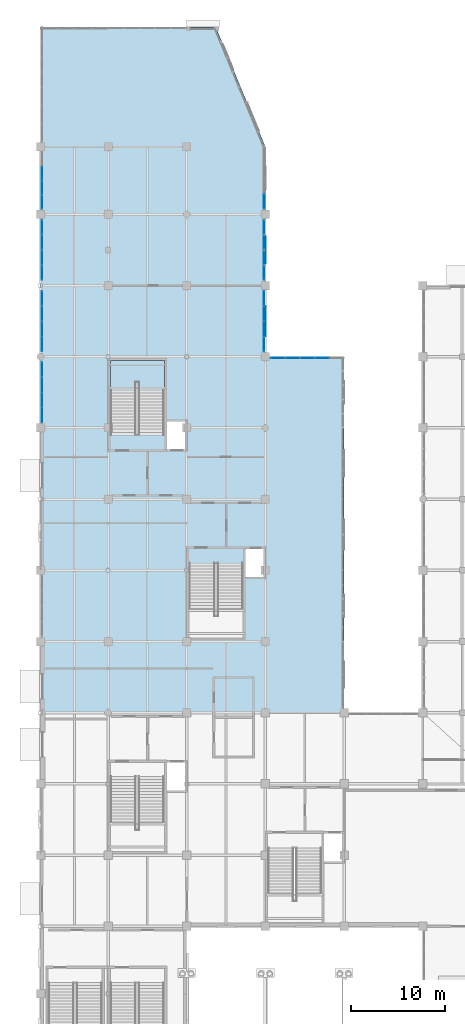
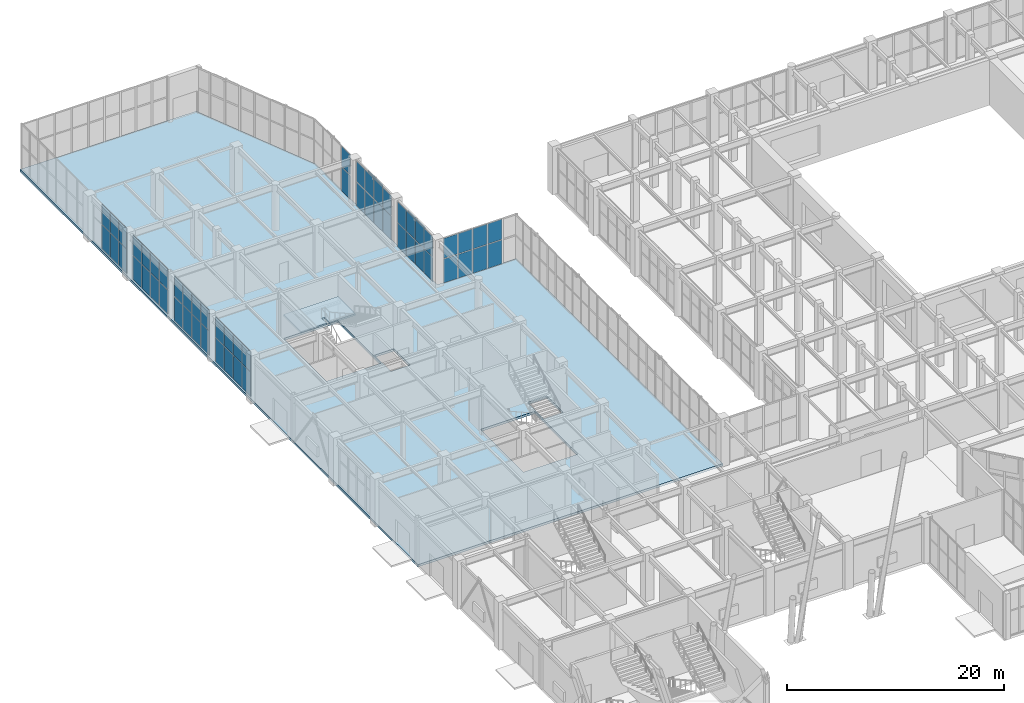
# One storey, part 106 of 139: 58 plates, 2 slabs, 9 elements without a shape of their own.
"""IFC4 building model written with IfcOpenShell, lengths in metres."""

from ifc_helpers import new_model, si_unit, direction, frame, origin, origin_2d, place, context, subcontext, project, spatial, polyline, rectangle, outline, extrude, material, layer, layer_set, type_object, element, aggregate, save


model = new_model("IFC4")

# Units and contexts
model_context = context("Model", 3, precision=1e-05, world=origin(), true_north=direction((0.0, 1.0)))
body_context = subcontext(model_context, "Body", "Model", "MODEL_VIEW")
ifc_project = project(units=[si_unit("LENGTHUNIT", "METRE"), si_unit("AREAUNIT", "SQUARE_METRE"), si_unit("VOLUMEUNIT", "CUBIC_METRE"), si_unit("PLANEANGLEUNIT", "RADIAN"), si_unit("MASSUNIT", "GRAM", prefix="KILO")], contexts=[model_context])

# Site, building, storey
site_placement = place(None, origin())
site = spatial("IfcSite", under=ifc_project, at=site_placement, CompositionType="ELEMENT")
building_placement = place(site_placement, origin())
building = spatial("IfcBuilding", under=site, at=building_placement, Name="Xicomal Pleat Aquarium", CompositionType="ELEMENT")
storey_placement = place(building_placement, origin())
storey = spatial("IfcBuildingStorey", under=building, at=storey_placement, Name="L01", CompositionType="ELEMENT", Elevation=0.0)

# Curtain wall, plates
ifc_material_1 = material(Name="Bronze anodized aluminium 6063-T6", Category="aluminium")
ifc_layer_1 = layer(ifc_material_1, 0.159912109375)
ifc_layer_set_1 = layer_set([ifc_layer_1], Name="Bronze anodized aluminium 6063-T6")
curtain_wall_type_1 = type_object("IfcCurtainWallType", Name="CW-SYS-01", PredefinedType="NOTDEFINED", material=ifc_layer_set_1)
curtain_wall_1_placement = place(storey_placement, origin())
curtain_wall_1 = element("IfcCurtainWall", 1, at=curtain_wall_1_placement, inside=storey, type_object=curtain_wall_type_1, Name="L01 unitised curtain wall CW-L01-012", PredefinedType="NOTDEFINED")
ifc_material_2 = material(Name="Insulated low-E laminated glass", Category="glass")
ifc_layer_2 = layer(ifc_material_2, 0.028076171875)
ifc_layer_set_2 = layer_set([ifc_layer_2], Name="Insulated low-E laminated glass")
plate_type_1 = type_object("IfcPlateType", Name="CWP-GLZ-28", PredefinedType="CURTAIN_PANEL", material=ifc_layer_set_2)
plate_1_placement = place(storey_placement, frame((3.139892578125, 92.506103515625, 0.06494140625), z_axis=(0.0, 0.0, 1.0), x_axis=(0.0, 1.0, 0.0)))
plate_1 = element("IfcPlate", 2, at=plate_1_placement, type_object=plate_type_1, Name="CW-01 panel 1.1", PredefinedType="CURTAIN_PANEL", context=body_context, shape_type="SweptSolid", body=[
    extrude(rectangle(XDim=1.4423828125, YDim=0.028076171875, at=origin_2d()), origin(), (0.0, 0.0, 1.0), 2.6884765625),
])
plate_2_placement = place(storey_placement, frame((3.139892578125, 92.506103515625, 2.818359375), z_axis=(0.0, 0.0, 1.0), x_axis=(0.0, 1.0, 0.0)))
plate_2 = element("IfcPlate", 3, at=plate_2_placement, type_object=plate_type_1, Name="CW-01 panel 1.2", PredefinedType="CURTAIN_PANEL", context=body_context, shape_type="SweptSolid", body=[
    extrude(rectangle(XDim=1.4423828125, YDim=0.028076171875, at=origin_2d()), origin(), (0.0, 0.0, 1.0), 2.276611328125),
])
plate_3_placement = place(storey_placement, frame((3.139892578125, 94.030029296875, 0.06494140625), z_axis=(0.0, 0.0, 1.0), x_axis=(0.0, 1.0, 0.0)))
plate_3 = element("IfcPlate", 4, at=plate_3_placement, type_object=plate_type_1, Name="CW-01 panel 2.1", PredefinedType="CURTAIN_PANEL", context=body_context, shape_type="SweptSolid", body=[
    extrude(rectangle(XDim=1.47509765625, YDim=0.028076171875, at=origin_2d()), origin(), (0.0, 0.0, 1.0), 2.6884765625),
])
plate_4_placement = place(storey_placement, frame((3.139892578125, 94.030029296875, 2.818359375), z_axis=(0.0, 0.0, 1.0), x_axis=(0.0, 1.0, 0.0)))
plate_4 = element("IfcPlate", 5, at=plate_4_placement, type_object=plate_type_1, Name="CW-01 panel 2.2", PredefinedType="CURTAIN_PANEL", context=body_context, shape_type="SweptSolid", body=[
    extrude(rectangle(XDim=1.47509765625, YDim=0.028076171875, at=origin_2d()), origin(), (0.0, 0.0, 1.0), 2.276611328125),
])
plate_5_placement = place(storey_placement, frame((3.139892578125, 95.570068359375, 0.06494140625), z_axis=(0.0, 0.0, 1.0), x_axis=(0.0, 1.0, 0.0)))
plate_5 = element("IfcPlate", 6, at=plate_5_placement, type_object=plate_type_1, Name="CW-01 panel 3.1", PredefinedType="CURTAIN_PANEL", context=body_context, shape_type="SweptSolid", body=[
    extrude(rectangle(XDim=1.47509765625, YDim=0.028076171875, at=origin_2d()), origin(), (0.0, 0.0, 1.0), 2.6884765625),
])
plate_6_placement = place(storey_placement, frame((3.139892578125, 95.570068359375, 2.818359375), z_axis=(0.0, 0.0, 1.0), x_axis=(0.0, 1.0, 0.0)))
plate_6 = element("IfcPlate", 7, at=plate_6_placement, type_object=plate_type_1, Name="CW-01 panel 3.2", PredefinedType="CURTAIN_PANEL", context=body_context, shape_type="SweptSolid", body=[
    extrude(rectangle(XDim=1.47509765625, YDim=0.028076171875, at=origin_2d()), origin(), (0.0, 0.0, 1.0), 2.276611328125),
])
aggregate(curtain_wall_1, [plate_1, plate_2, plate_3, plate_4, plate_5, plate_6])

ifc_material_3 = material(Name="Bronze anodized aluminium 6063-T6", Category="aluminium")
ifc_layer_3 = layer(ifc_material_3, 0.159912109375)
ifc_layer_set_3 = layer_set([ifc_layer_3], Name="Bronze anodized aluminium 6063-T6")
curtain_wall_type_2 = type_object("IfcCurtainWallType", Name="CW-SYS-11", PredefinedType="NOTDEFINED", material=ifc_layer_set_3)
curtain_wall_2_placement = place(storey_placement, origin())
curtain_wall_2 = element("IfcCurtainWall", 8, at=curtain_wall_2_placement, inside=storey, type_object=curtain_wall_type_2, Name="L01 unitised curtain wall CW-L01-020", PredefinedType="NOTDEFINED")
plate_7_placement = place(storey_placement, frame((26.860107421875, 89.8388671875, 0.0849609375), z_axis=(0.0, 0.0, 1.0), x_axis=(0.0, -1.0, 0.0)))
plate_7 = element("IfcPlate", 9, at=plate_7_placement, type_object=plate_type_1, Name="CW-11 panel 1.1", PredefinedType="CURTAIN_PANEL", context=body_context, shape_type="SweptSolid", body=[
    extrude(rectangle(XDim=1.512451171875, YDim=0.028076171875, at=origin_2d()), origin(), (0.0, 0.0, 1.0), 2.658447265625),
])
plate_8_placement = place(storey_placement, frame((26.860107421875, 89.8388671875, 2.828369140625), z_axis=(0.0, 0.0, 1.0), x_axis=(0.0, -1.0, 0.0)))
plate_8 = element("IfcPlate", 10, at=plate_8_placement, type_object=plate_type_1, Name="CW-11 panel 1.2", PredefinedType="CURTAIN_PANEL", context=body_context, shape_type="SweptSolid", body=[
    extrude(rectangle(XDim=1.512451171875, YDim=0.028076171875, at=origin_2d()), origin(), (0.0, 0.0, 1.0), 2.24658203125),
])
plate_9_placement = place(storey_placement, frame((26.860107421875, 88.219970703125, 0.0849609375), z_axis=(0.0, 0.0, 1.0), x_axis=(0.0, -1.0, 0.0)))
plate_9 = element("IfcPlate", 11, at=plate_9_placement, type_object=plate_type_1, Name="CW-11 panel 2.1", PredefinedType="CURTAIN_PANEL", context=body_context, shape_type="SweptSolid", body=[
    extrude(rectangle(XDim=1.554931640625, YDim=0.028076171875, at=origin_2d()), origin(), (0.0, 0.0, 1.0), 2.658447265625),
])
plate_10_placement = place(storey_placement, frame((26.860107421875, 88.219970703125, 2.828369140625), z_axis=(0.0, 0.0, 1.0), x_axis=(0.0, -1.0, 0.0)))
plate_10 = element("IfcPlate", 12, at=plate_10_placement, type_object=plate_type_1, Name="CW-11 panel 2.2", PredefinedType="CURTAIN_PANEL", context=body_context, shape_type="SweptSolid", body=[
    extrude(rectangle(XDim=1.554931640625, YDim=0.028076171875, at=origin_2d()), origin(), (0.0, 0.0, 1.0), 2.24658203125),
])
plate_11_placement = place(storey_placement, frame((26.860107421875, 86.580078125, 0.0849609375), z_axis=(0.0, 0.0, 1.0), x_axis=(0.0, -1.0, 0.0)))
plate_11 = element("IfcPlate", 13, at=plate_11_placement, type_object=plate_type_1, Name="CW-11 panel 3.1", PredefinedType="CURTAIN_PANEL", context=body_context, shape_type="SweptSolid", body=[
    extrude(rectangle(XDim=1.554931640625, YDim=0.028076171875, at=origin_2d()), origin(), (0.0, 0.0, 1.0), 2.658447265625),
])
plate_12_placement = place(storey_placement, frame((26.860107421875, 86.580078125, 2.828369140625), z_axis=(0.0, 0.0, 1.0), x_axis=(0.0, -1.0, 0.0)))
plate_12 = element("IfcPlate", 14, at=plate_12_placement, type_object=plate_type_1, Name="CW-11 panel 3.2", PredefinedType="CURTAIN_PANEL", context=body_context, shape_type="SweptSolid", body=[
    extrude(rectangle(XDim=1.554931640625, YDim=0.028076171875, at=origin_2d()), origin(), (0.0, 0.0, 1.0), 2.24658203125),
])
plate_13_placement = place(storey_placement, frame((26.860107421875, 84.961181640625, 0.0849609375), z_axis=(0.0, 0.0, 1.0), x_axis=(0.0, -1.0, 0.0)))
plate_13 = element("IfcPlate", 15, at=plate_13_placement, type_object=plate_type_1, Name="CW-11 panel 4.1", PredefinedType="CURTAIN_PANEL", context=body_context, shape_type="SweptSolid", body=[
    extrude(rectangle(XDim=1.512451171875, YDim=0.028076171875, at=origin_2d()), origin(), (0.0, 0.0, 1.0), 2.658447265625),
])
plate_14_placement = place(storey_placement, frame((26.860107421875, 84.961181640625, 2.828369140625), z_axis=(0.0, 0.0, 1.0), x_axis=(0.0, -1.0, 0.0)))
plate_14 = element("IfcPlate", 16, at=plate_14_placement, type_object=plate_type_1, Name="CW-11 panel 4.2", PredefinedType="CURTAIN_PANEL", context=body_context, shape_type="SweptSolid", body=[
    extrude(rectangle(XDim=1.512451171875, YDim=0.028076171875, at=origin_2d()), origin(), (0.0, 0.0, 1.0), 2.24658203125),
])
aggregate(curtain_wall_2, [plate_7, plate_8, plate_9, plate_10, plate_11, plate_12, plate_13, plate_14])

curtain_wall_3_placement = place(storey_placement, origin())
curtain_wall_3 = element("IfcCurtainWall", 17, at=curtain_wall_3_placement, inside=storey, type_object=curtain_wall_type_1, Name="L01 unitised curtain wall CW-L01-009", PredefinedType="NOTDEFINED")
ifc_material_4 = material(Name="Insulated low-E laminated glass", Category="glass")
ifc_layer_4 = layer(ifc_material_4, 0.031982421875)
ifc_layer_set_4 = layer_set([ifc_layer_4], Name="Insulated low-E laminated glass")
plate_type_2 = type_object("IfcPlateType", Name="CWP-GLZ-32", PredefinedType="CURTAIN_PANEL", material=ifc_layer_set_4)
plate_15_placement = place(storey_placement, frame((3.139892578125, 69.75634765625, 0.06494140625), z_axis=(0.0, 0.0, 1.0), x_axis=(0.0, 1.0, 0.0)))
plate_15 = element("IfcPlate", 18, at=plate_15_placement, type_object=plate_type_2, Name="CW-01 panel 1.1", PredefinedType="CURTAIN_PANEL", context=body_context, shape_type="SweptSolid", body=[
    extrude(rectangle(XDim=1.54248046875, YDim=0.031982421875, at=origin_2d()), origin(), (0.0, 0.0, 1.0), 2.6884765625),
])
plate_16_placement = place(storey_placement, frame((3.139892578125, 69.75634765625, 2.818359375), z_axis=(0.0, 0.0, 1.0), x_axis=(0.0, 1.0, 0.0)))
plate_16 = element("IfcPlate", 19, at=plate_16_placement, type_object=plate_type_2, Name="CW-01 panel 1.2", PredefinedType="CURTAIN_PANEL", context=body_context, shape_type="SweptSolid", body=[
    extrude(rectangle(XDim=1.54248046875, YDim=0.031982421875, at=origin_2d()), origin(), (0.0, 0.0, 1.0), 2.276611328125),
])
plate_17_placement = place(storey_placement, frame((3.139892578125, 71.3798828125, 0.06494140625), z_axis=(0.0, 0.0, 1.0), x_axis=(0.0, 1.0, 0.0)))
plate_17 = element("IfcPlate", 20, at=plate_17_placement, type_object=plate_type_2, Name="CW-01 panel 2.1", PredefinedType="CURTAIN_PANEL", context=body_context, shape_type="SweptSolid", body=[
    extrude(rectangle(XDim=1.574951171875, YDim=0.031982421875, at=origin_2d()), origin(), (0.0, 0.0, 1.0), 2.6884765625),
])
plate_18_placement = place(storey_placement, frame((3.139892578125, 71.3798828125, 2.818359375), z_axis=(0.0, 0.0, 1.0), x_axis=(0.0, 1.0, 0.0)))
plate_18 = element("IfcPlate", 21, at=plate_18_placement, type_object=plate_type_2, Name="CW-01 panel 2.2", PredefinedType="CURTAIN_PANEL", context=body_context, shape_type="SweptSolid", body=[
    extrude(rectangle(XDim=1.574951171875, YDim=0.031982421875, at=origin_2d()), origin(), (0.0, 0.0, 1.0), 2.276611328125),
])
plate_19_placement = place(storey_placement, frame((3.139892578125, 73.02001953125, 0.06494140625), z_axis=(0.0, 0.0, 1.0), x_axis=(0.0, 1.0, 0.0)))
plate_19 = element("IfcPlate", 22, at=plate_19_placement, type_object=plate_type_2, Name="CW-01 panel 3.1", PredefinedType="CURTAIN_PANEL", context=body_context, shape_type="SweptSolid", body=[
    extrude(rectangle(XDim=1.574951171875, YDim=0.031982421875, at=origin_2d()), origin(), (0.0, 0.0, 1.0), 2.6884765625),
])
plate_20_placement = place(storey_placement, frame((3.139892578125, 73.02001953125, 2.818359375), z_axis=(0.0, 0.0, 1.0), x_axis=(0.0, 1.0, 0.0)))
plate_20 = element("IfcPlate", 23, at=plate_20_placement, type_object=plate_type_2, Name="CW-01 panel 3.2", PredefinedType="CURTAIN_PANEL", context=body_context, shape_type="SweptSolid", body=[
    extrude(rectangle(XDim=1.574951171875, YDim=0.031982421875, at=origin_2d()), origin(), (0.0, 0.0, 1.0), 2.276611328125),
])
plate_21_placement = place(storey_placement, frame((3.139892578125, 74.643798828125, 0.06494140625), z_axis=(0.0, 0.0, 1.0), x_axis=(0.0, 1.0, 0.0)))
plate_21 = element("IfcPlate", 24, at=plate_21_placement, type_object=plate_type_2, Name="CW-01 panel 4.1", PredefinedType="CURTAIN_PANEL", context=body_context, shape_type="SweptSolid", body=[
    extrude(rectangle(XDim=1.54248046875, YDim=0.031982421875, at=origin_2d()), origin(), (0.0, 0.0, 1.0), 2.6884765625),
])
plate_22_placement = place(storey_placement, frame((3.139892578125, 74.643798828125, 2.818359375), z_axis=(0.0, 0.0, 1.0), x_axis=(0.0, 1.0, 0.0)))
plate_22 = element("IfcPlate", 25, at=plate_22_placement, type_object=plate_type_2, Name="CW-01 panel 4.2", PredefinedType="CURTAIN_PANEL", context=body_context, shape_type="SweptSolid", body=[
    extrude(rectangle(XDim=1.54248046875, YDim=0.031982421875, at=origin_2d()), origin(), (0.0, 0.0, 1.0), 2.276611328125),
])
aggregate(curtain_wall_3, [plate_15, plate_16, plate_17, plate_18, plate_19, plate_20, plate_21, plate_22])

curtain_wall_4_placement = place(storey_placement, origin())
curtain_wall_4 = element("IfcCurtainWall", 26, at=curtain_wall_4_placement, inside=storey, type_object=curtain_wall_type_1, Name="L01 unitised curtain wall CW-L01-021", PredefinedType="NOTDEFINED")
plate_23_placement = place(storey_placement, frame((26.860107421875, 82.24365234375, 0.06494140625), z_axis=(0.0, 0.0, 1.0), x_axis=(0.0, -1.0, 0.0)))
plate_23 = element("IfcPlate", 27, at=plate_23_placement, type_object=plate_type_2, Name="CW-01 panel 1.1", PredefinedType="CURTAIN_PANEL", context=body_context, shape_type="SweptSolid", body=[
    extrude(rectangle(XDim=1.54248046875, YDim=0.031982421875, at=origin_2d()), origin(), (0.0, 0.0, 1.0), 2.6884765625),
])
plate_24_placement = place(storey_placement, frame((26.860107421875, 82.24365234375, 2.818359375), z_axis=(0.0, 0.0, 1.0), x_axis=(0.0, -1.0, 0.0)))
plate_24 = element("IfcPlate", 28, at=plate_24_placement, type_object=plate_type_2, Name="CW-01 panel 1.2", PredefinedType="CURTAIN_PANEL", context=body_context, shape_type="SweptSolid", body=[
    extrude(rectangle(XDim=1.54248046875, YDim=0.031982421875, at=origin_2d()), origin(), (0.0, 0.0, 1.0), 2.276611328125),
])
plate_25_placement = place(storey_placement, frame((26.860107421875, 80.6201171875, 0.06494140625), z_axis=(0.0, 0.0, 1.0), x_axis=(0.0, -1.0, 0.0)))
plate_25 = element("IfcPlate", 29, at=plate_25_placement, type_object=plate_type_2, Name="CW-01 panel 2.1", PredefinedType="CURTAIN_PANEL", context=body_context, shape_type="SweptSolid", body=[
    extrude(rectangle(XDim=1.574951171875, YDim=0.031982421875, at=origin_2d()), origin(), (0.0, 0.0, 1.0), 2.6884765625),
])
plate_26_placement = place(storey_placement, frame((26.860107421875, 80.6201171875, 2.818359375), z_axis=(0.0, 0.0, 1.0), x_axis=(0.0, -1.0, 0.0)))
plate_26 = element("IfcPlate", 30, at=plate_26_placement, type_object=plate_type_2, Name="CW-01 panel 2.2", PredefinedType="CURTAIN_PANEL", context=body_context, shape_type="SweptSolid", body=[
    extrude(rectangle(XDim=1.574951171875, YDim=0.031982421875, at=origin_2d()), origin(), (0.0, 0.0, 1.0), 2.276611328125),
])
plate_27_placement = place(storey_placement, frame((26.860107421875, 78.97998046875, 0.06494140625), z_axis=(0.0, 0.0, 1.0), x_axis=(0.0, -1.0, 0.0)))
plate_27 = element("IfcPlate", 31, at=plate_27_placement, type_object=plate_type_2, Name="CW-01 panel 3.1", PredefinedType="CURTAIN_PANEL", context=body_context, shape_type="SweptSolid", body=[
    extrude(rectangle(XDim=1.574951171875, YDim=0.031982421875, at=origin_2d()), origin(), (0.0, 0.0, 1.0), 2.6884765625),
])
plate_28_placement = place(storey_placement, frame((26.860107421875, 78.97998046875, 2.818359375), z_axis=(0.0, 0.0, 1.0), x_axis=(0.0, -1.0, 0.0)))
plate_28 = element("IfcPlate", 32, at=plate_28_placement, type_object=plate_type_2, Name="CW-01 panel 3.2", PredefinedType="CURTAIN_PANEL", context=body_context, shape_type="SweptSolid", body=[
    extrude(rectangle(XDim=1.574951171875, YDim=0.031982421875, at=origin_2d()), origin(), (0.0, 0.0, 1.0), 2.276611328125),
])
plate_29_placement = place(storey_placement, frame((26.860107421875, 77.356201171875, 0.06494140625), z_axis=(0.0, 0.0, 1.0), x_axis=(0.0, -1.0, 0.0)))
plate_29 = element("IfcPlate", 33, at=plate_29_placement, type_object=plate_type_2, Name="CW-01 panel 4.1", PredefinedType="CURTAIN_PANEL", context=body_context, shape_type="SweptSolid", body=[
    extrude(rectangle(XDim=1.54248046875, YDim=0.031982421875, at=origin_2d()), origin(), (0.0, 0.0, 1.0), 2.6884765625),
])
plate_30_placement = place(storey_placement, frame((26.860107421875, 77.356201171875, 2.818359375), z_axis=(0.0, 0.0, 1.0), x_axis=(0.0, -1.0, 0.0)))
plate_30 = element("IfcPlate", 34, at=plate_30_placement, type_object=plate_type_2, Name="CW-01 panel 4.2", PredefinedType="CURTAIN_PANEL", context=body_context, shape_type="SweptSolid", body=[
    extrude(rectangle(XDim=1.54248046875, YDim=0.031982421875, at=origin_2d()), origin(), (0.0, 0.0, 1.0), 2.276611328125),
])
aggregate(curtain_wall_4, [plate_23, plate_24, plate_25, plate_26, plate_27, plate_28, plate_29, plate_30])

ifc_material_5 = material(Name="Bronze anodized aluminium 6063-T6", Category="aluminium")
ifc_layer_5 = layer(ifc_material_5, 0.159912109375)
ifc_layer_set_5 = layer_set([ifc_layer_5], Name="Bronze anodized aluminium 6063-T6")
curtain_wall_type_3 = type_object("IfcCurtainWallType", Name="CW-SYS-06", PredefinedType="NOTDEFINED", material=ifc_layer_set_5)
curtain_wall_5_placement = place(storey_placement, origin())
curtain_wall_5 = element("IfcCurtainWall", 35, at=curtain_wall_5_placement, inside=storey, type_object=curtain_wall_type_3, Name="L01 unitised curtain wall CW-L01-010", PredefinedType="NOTDEFINED")
ifc_material_6 = material(Name="Insulated low-E laminated glass", Category="glass")
ifc_layer_6 = layer(ifc_material_6, 0.035888671875)
ifc_layer_set_6 = layer_set([ifc_layer_6], Name="Insulated low-E laminated glass")
plate_type_3 = type_object("IfcPlateType", Name="CWP-GLZ-36", PredefinedType="CURTAIN_PANEL", material=ifc_layer_set_6)
plate_31_placement = place(storey_placement, frame((3.139892578125, 77.35888671875, 0.0751953125), z_axis=(0.0, 0.0, 1.0), x_axis=(0.0, 1.0, 0.0)))
plate_31 = element("IfcPlate", 36, at=plate_31_placement, type_object=plate_type_3, Name="CW-06 panel 1.1", PredefinedType="CURTAIN_PANEL", context=body_context, shape_type="SweptSolid", body=[
    extrude(rectangle(XDim=1.527587890625, YDim=0.035888671875, at=origin_2d()), origin(), (0.0, 0.0, 1.0), 2.673583984375),
])
plate_32_placement = place(storey_placement, frame((3.139892578125, 77.35888671875, 2.82373046875), z_axis=(0.0, 0.0, 1.0), x_axis=(0.0, 1.0, 0.0)))
plate_32 = element("IfcPlate", 37, at=plate_32_placement, type_object=plate_type_3, Name="CW-06 panel 1.2", PredefinedType="CURTAIN_PANEL", context=body_context, shape_type="SweptSolid", body=[
    extrude(rectangle(XDim=1.527587890625, YDim=0.035888671875, at=origin_2d()), origin(), (0.0, 0.0, 1.0), 2.261474609375),
])
plate_33_placement = place(storey_placement, frame((3.139892578125, 78.97998046875, 0.0751953125), z_axis=(0.0, 0.0, 1.0), x_axis=(0.0, 1.0, 0.0)))
plate_33 = element("IfcPlate", 38, at=plate_33_placement, type_object=plate_type_3, Name="CW-06 panel 2.1", PredefinedType="CURTAIN_PANEL", context=body_context, shape_type="SweptSolid", body=[
    extrude(rectangle(XDim=1.56494140625, YDim=0.035888671875, at=origin_2d()), origin(), (0.0, 0.0, 1.0), 2.673583984375),
])
plate_34_placement = place(storey_placement, frame((3.139892578125, 78.97998046875, 2.82373046875), z_axis=(0.0, 0.0, 1.0), x_axis=(0.0, 1.0, 0.0)))
plate_34 = element("IfcPlate", 39, at=plate_34_placement, type_object=plate_type_3, Name="CW-06 panel 2.2", PredefinedType="CURTAIN_PANEL", context=body_context, shape_type="SweptSolid", body=[
    extrude(rectangle(XDim=1.56494140625, YDim=0.035888671875, at=origin_2d()), origin(), (0.0, 0.0, 1.0), 2.261474609375),
])
plate_35_placement = place(storey_placement, frame((3.139892578125, 80.6201171875, 0.0751953125), z_axis=(0.0, 0.0, 1.0), x_axis=(0.0, 1.0, 0.0)))
plate_35 = element("IfcPlate", 40, at=plate_35_placement, type_object=plate_type_3, Name="CW-06 panel 3.1", PredefinedType="CURTAIN_PANEL", context=body_context, shape_type="SweptSolid", body=[
    extrude(rectangle(XDim=1.56494140625, YDim=0.035888671875, at=origin_2d()), origin(), (0.0, 0.0, 1.0), 2.673583984375),
])
plate_36_placement = place(storey_placement, frame((3.139892578125, 80.6201171875, 2.82373046875), z_axis=(0.0, 0.0, 1.0), x_axis=(0.0, 1.0, 0.0)))
plate_36 = element("IfcPlate", 41, at=plate_36_placement, type_object=plate_type_3, Name="CW-06 panel 3.2", PredefinedType="CURTAIN_PANEL", context=body_context, shape_type="SweptSolid", body=[
    extrude(rectangle(XDim=1.56494140625, YDim=0.035888671875, at=origin_2d()), origin(), (0.0, 0.0, 1.0), 2.261474609375),
])
plate_37_placement = place(storey_placement, frame((3.139892578125, 82.2412109375, 0.0751953125), z_axis=(0.0, 0.0, 1.0), x_axis=(0.0, 1.0, 0.0)))
plate_37 = element("IfcPlate", 42, at=plate_37_placement, type_object=plate_type_3, Name="CW-06 panel 4.1", PredefinedType="CURTAIN_PANEL", context=body_context, shape_type="SweptSolid", body=[
    extrude(rectangle(XDim=1.527587890625, YDim=0.035888671875, at=origin_2d()), origin(), (0.0, 0.0, 1.0), 2.673583984375),
])
plate_38_placement = place(storey_placement, frame((3.139892578125, 82.2412109375, 2.82373046875), z_axis=(0.0, 0.0, 1.0), x_axis=(0.0, 1.0, 0.0)))
plate_38 = element("IfcPlate", 43, at=plate_38_placement, type_object=plate_type_3, Name="CW-06 panel 4.2", PredefinedType="CURTAIN_PANEL", context=body_context, shape_type="SweptSolid", body=[
    extrude(rectangle(XDim=1.527587890625, YDim=0.035888671875, at=origin_2d()), origin(), (0.0, 0.0, 1.0), 2.261474609375),
])
aggregate(curtain_wall_5, [plate_31, plate_32, plate_33, plate_34, plate_35, plate_36, plate_37, plate_38])

curtain_wall_6_placement = place(storey_placement, origin())
curtain_wall_6 = element("IfcCurtainWall", 44, at=curtain_wall_6_placement, inside=storey, type_object=curtain_wall_type_3, Name="L01 unitised curtain wall CW-L01-022", PredefinedType="NOTDEFINED")
plate_39_placement = place(storey_placement, frame((28.326904296875, 75.860107421875, 0.0751953125), z_axis=(0.0, 0.0, 1.0), x_axis=(1.0, 0.0, 0.0)))
plate_39 = element("IfcPlate", 45, at=plate_39_placement, type_object=plate_type_3, Name="CW-06 panel 1.1", PredefinedType="CURTAIN_PANEL", context=body_context, shape_type="SweptSolid", body=[
    extrude(rectangle(XDim=1.46337890625, YDim=0.035888671875, at=origin_2d()), origin(), (0.0, 0.0, 1.0), 2.673583984375),
])
plate_40_placement = place(storey_placement, frame((28.326904296875, 75.860107421875, 2.82373046875), z_axis=(0.0, 0.0, 1.0), x_axis=(1.0, 0.0, 0.0)))
plate_40 = element("IfcPlate", 46, at=plate_40_placement, type_object=plate_type_3, Name="CW-06 panel 1.2", PredefinedType="CURTAIN_PANEL", context=body_context, shape_type="SweptSolid", body=[
    extrude(rectangle(XDim=1.46337890625, YDim=0.035888671875, at=origin_2d()), origin(), (0.0, 0.0, 1.0), 2.261474609375),
])
plate_41_placement = place(storey_placement, frame((29.884033203125, 75.860107421875, 0.0751953125), z_axis=(0.0, 0.0, 1.0), x_axis=(1.0, 0.0, 0.0)))
plate_41 = element("IfcPlate", 47, at=plate_41_placement, type_object=plate_type_3, Name="CW-06 panel 2.1", PredefinedType="CURTAIN_PANEL", context=body_context, shape_type="SweptSolid", body=[
    extrude(rectangle(XDim=1.5009765625, YDim=0.035888671875, at=origin_2d()), origin(), (0.0, 0.0, 1.0), 2.673583984375),
])
plate_42_placement = place(storey_placement, frame((29.884033203125, 75.860107421875, 2.82373046875), z_axis=(0.0, 0.0, 1.0), x_axis=(1.0, 0.0, 0.0)))
plate_42 = element("IfcPlate", 48, at=plate_42_placement, type_object=plate_type_3, Name="CW-06 panel 2.2", PredefinedType="CURTAIN_PANEL", context=body_context, shape_type="SweptSolid", body=[
    extrude(rectangle(XDim=1.5009765625, YDim=0.035888671875, at=origin_2d()), origin(), (0.0, 0.0, 1.0), 2.261474609375),
])
plate_43_placement = place(storey_placement, frame((31.4599609375, 75.860107421875, 0.0751953125), z_axis=(0.0, 0.0, 1.0), x_axis=(1.0, 0.0, 0.0)))
plate_43 = element("IfcPlate", 49, at=plate_43_placement, type_object=plate_type_3, Name="CW-06 panel 3.1", PredefinedType="CURTAIN_PANEL", context=body_context, shape_type="SweptSolid", body=[
    extrude(rectangle(XDim=1.5009765625, YDim=0.035888671875, at=origin_2d()), origin(), (0.0, 0.0, 1.0), 2.673583984375),
])
plate_44_placement = place(storey_placement, frame((31.4599609375, 75.860107421875, 2.82373046875), z_axis=(0.0, 0.0, 1.0), x_axis=(1.0, 0.0, 0.0)))
plate_44 = element("IfcPlate", 50, at=plate_44_placement, type_object=plate_type_3, Name="CW-06 panel 3.2", PredefinedType="CURTAIN_PANEL", context=body_context, shape_type="SweptSolid", body=[
    extrude(rectangle(XDim=1.5009765625, YDim=0.035888671875, at=origin_2d()), origin(), (0.0, 0.0, 1.0), 2.261474609375),
])
plate_45_placement = place(storey_placement, frame((33.035888671875, 75.860107421875, 0.0751953125), z_axis=(0.0, 0.0, 1.0), x_axis=(1.0, 0.0, 0.0)))
plate_45 = element("IfcPlate", 51, at=plate_45_placement, type_object=plate_type_3, Name="CW-06 panel 4.1", PredefinedType="CURTAIN_PANEL", context=body_context, shape_type="SweptSolid", body=[
    extrude(rectangle(XDim=1.5009765625, YDim=0.035888671875, at=origin_2d()), origin(), (0.0, 0.0, 1.0), 2.673583984375),
])
plate_46_placement = place(storey_placement, frame((33.035888671875, 75.860107421875, 2.82373046875), z_axis=(0.0, 0.0, 1.0), x_axis=(1.0, 0.0, 0.0)))
plate_46 = element("IfcPlate", 52, at=plate_46_placement, type_object=plate_type_3, Name="CW-06 panel 4.2", PredefinedType="CURTAIN_PANEL", context=body_context, shape_type="SweptSolid", body=[
    extrude(rectangle(XDim=1.5009765625, YDim=0.035888671875, at=origin_2d()), origin(), (0.0, 0.0, 1.0), 2.261474609375),
])
aggregate(curtain_wall_6, [plate_39, plate_40, plate_41, plate_42, plate_43, plate_44, plate_45, plate_46])

curtain_wall_7_placement = place(storey_placement, origin())
curtain_wall_7 = element("IfcCurtainWall", 53, at=curtain_wall_7_placement, inside=storey, type_object=curtain_wall_type_2, Name="L01 unitised curtain wall CW-L01-011", PredefinedType="NOTDEFINED")
ifc_material_7 = material(Name="Insulated low-E laminated glass", Category="glass")
ifc_layer_7 = layer(ifc_material_7, 0.0419921875)
ifc_layer_set_7 = layer_set([ifc_layer_7], Name="Insulated low-E laminated glass")
plate_type_4 = type_object("IfcPlateType", Name="CWP-GLZ-42", PredefinedType="CURTAIN_PANEL", material=ifc_layer_set_7)
plate_47_placement = place(storey_placement, frame((3.139892578125, 84.961181640625, 0.0849609375), z_axis=(0.0, 0.0, 1.0), x_axis=(0.0, 1.0, 0.0)))
plate_47 = element("IfcPlate", 54, at=plate_47_placement, type_object=plate_type_4, Name="CW-11 panel 1.1", PredefinedType="CURTAIN_PANEL", context=body_context, shape_type="SweptSolid", body=[
    extrude(rectangle(XDim=1.512451171875, YDim=0.0419921875, at=origin_2d()), origin(), (0.0, 0.0, 1.0), 2.658447265625),
])
plate_48_placement = place(storey_placement, frame((3.139892578125, 84.961181640625, 2.828369140625), z_axis=(0.0, 0.0, 1.0), x_axis=(0.0, 1.0, 0.0)))
plate_48 = element("IfcPlate", 55, at=plate_48_placement, type_object=plate_type_4, Name="CW-11 panel 1.2", PredefinedType="CURTAIN_PANEL", context=body_context, shape_type="SweptSolid", body=[
    extrude(rectangle(XDim=1.512451171875, YDim=0.0419921875, at=origin_2d()), origin(), (0.0, 0.0, 1.0), 2.24658203125),
])
plate_49_placement = place(storey_placement, frame((3.139892578125, 86.580078125, 0.0849609375), z_axis=(0.0, 0.0, 1.0), x_axis=(0.0, 1.0, 0.0)))
plate_49 = element("IfcPlate", 56, at=plate_49_placement, type_object=plate_type_4, Name="CW-11 panel 2.1", PredefinedType="CURTAIN_PANEL", context=body_context, shape_type="SweptSolid", body=[
    extrude(rectangle(XDim=1.554931640625, YDim=0.0419921875, at=origin_2d()), origin(), (0.0, 0.0, 1.0), 2.658447265625),
])
plate_50_placement = place(storey_placement, frame((3.139892578125, 86.580078125, 2.828369140625), z_axis=(0.0, 0.0, 1.0), x_axis=(0.0, 1.0, 0.0)))
plate_50 = element("IfcPlate", 57, at=plate_50_placement, type_object=plate_type_4, Name="CW-11 panel 2.2", PredefinedType="CURTAIN_PANEL", context=body_context, shape_type="SweptSolid", body=[
    extrude(rectangle(XDim=1.554931640625, YDim=0.0419921875, at=origin_2d()), origin(), (0.0, 0.0, 1.0), 2.24658203125),
])
plate_51_placement = place(storey_placement, frame((3.139892578125, 88.219970703125, 0.0849609375), z_axis=(0.0, 0.0, 1.0), x_axis=(0.0, 1.0, 0.0)))
plate_51 = element("IfcPlate", 58, at=plate_51_placement, type_object=plate_type_4, Name="CW-11 panel 3.1", PredefinedType="CURTAIN_PANEL", context=body_context, shape_type="SweptSolid", body=[
    extrude(rectangle(XDim=1.554931640625, YDim=0.0419921875, at=origin_2d()), origin(), (0.0, 0.0, 1.0), 2.658447265625),
])
plate_52_placement = place(storey_placement, frame((3.139892578125, 88.219970703125, 2.828369140625), z_axis=(0.0, 0.0, 1.0), x_axis=(0.0, 1.0, 0.0)))
plate_52 = element("IfcPlate", 59, at=plate_52_placement, type_object=plate_type_4, Name="CW-11 panel 3.2", PredefinedType="CURTAIN_PANEL", context=body_context, shape_type="SweptSolid", body=[
    extrude(rectangle(XDim=1.554931640625, YDim=0.0419921875, at=origin_2d()), origin(), (0.0, 0.0, 1.0), 2.24658203125),
])
plate_53_placement = place(storey_placement, frame((3.139892578125, 89.8388671875, 0.0849609375), z_axis=(0.0, 0.0, 1.0), x_axis=(0.0, 1.0, 0.0)))
plate_53 = element("IfcPlate", 60, at=plate_53_placement, type_object=plate_type_4, Name="CW-11 panel 4.1", PredefinedType="CURTAIN_PANEL", context=body_context, shape_type="SweptSolid", body=[
    extrude(rectangle(XDim=1.512451171875, YDim=0.0419921875, at=origin_2d()), origin(), (0.0, 0.0, 1.0), 2.658447265625),
])
plate_54_placement = place(storey_placement, frame((3.139892578125, 89.8388671875, 2.828369140625), z_axis=(0.0, 0.0, 1.0), x_axis=(0.0, 1.0, 0.0)))
plate_54 = element("IfcPlate", 61, at=plate_54_placement, type_object=plate_type_4, Name="CW-11 panel 4.2", PredefinedType="CURTAIN_PANEL", context=body_context, shape_type="SweptSolid", body=[
    extrude(rectangle(XDim=1.512451171875, YDim=0.0419921875, at=origin_2d()), origin(), (0.0, 0.0, 1.0), 2.24658203125),
])
aggregate(curtain_wall_7, [plate_47, plate_48, plate_49, plate_50, plate_51, plate_52, plate_53, plate_54])

curtain_wall_8_placement = place(storey_placement, origin())
curtain_wall_8 = element("IfcCurtainWall", 62, at=curtain_wall_8_placement, inside=storey, type_object=curtain_wall_type_3, Name="L01 unitised curtain wall CW-L01-019", PredefinedType="NOTDEFINED")
plate_55_placement = place(storey_placement, frame((26.860107421875, 92.57373046875, 0.0751953125), z_axis=(0.0, 0.0, 1.0), x_axis=(0.0, -1.0, 0.0)))
plate_55 = element("IfcPlate", 63, at=plate_55_placement, type_object=plate_type_4, Name="CW-06 panel 4.1", PredefinedType="CURTAIN_PANEL", context=body_context, shape_type="SweptSolid", body=[
    extrude(rectangle(XDim=1.5576171875, YDim=0.0419921875, at=origin_2d()), origin(), (0.0, 0.0, 1.0), 2.673583984375),
])
plate_56_placement = place(storey_placement, frame((26.860107421875, 92.57373046875, 2.82373046875), z_axis=(0.0, 0.0, 1.0), x_axis=(0.0, -1.0, 0.0)))
plate_56 = element("IfcPlate", 64, at=plate_56_placement, type_object=plate_type_4, Name="CW-06 panel 4.2", PredefinedType="CURTAIN_PANEL", context=body_context, shape_type="SweptSolid", body=[
    extrude(rectangle(XDim=1.5576171875, YDim=0.0419921875, at=origin_2d()), origin(), (0.0, 0.0, 1.0), 2.261474609375),
])
aggregate(curtain_wall_8, [plate_55, plate_56])

# Plates
ifc_material_8 = material(Name="Perforated bronze anodized aluminium", Category="aluminium")
ifc_layer_8 = layer(ifc_material_8, 0.02001953125)
ifc_layer_set_8 = layer_set([ifc_layer_8], Name="Perforated bronze anodized aluminium")
plate_type_5 = type_object("IfcPlateType", Name="PLT-SUN-20", PredefinedType="USERDEFINED", material=ifc_layer_set_8)
plate_57_placement = place(storey_placement, frame((27.02001953125, 87.39990234375, 3.43994140625), z_axis=(0.0, 0.0, 1.0), x_axis=(0.0, -1.0, 0.0)))
element("IfcPlate", 65, at=plate_57_placement, inside=storey, type_object=plate_type_5, Name="L01 perforated solar sunshade 10", ObjectType="SUNSHADE PANEL", PredefinedType="USERDEFINED", context=body_context, shape_type="SweptSolid", body=[
    extrude(rectangle(XDim=2.800048828125, YDim=0.02001953125, at=origin_2d()), origin(), (0.0, 0.0, 1.0), 1.679931640625),
])
ifc_material_9 = material(Name="Perforated bronze anodized aluminium", Category="aluminium")
ifc_layer_9 = layer(ifc_material_9, 0.02392578125)
ifc_layer_set_9 = layer_set([ifc_layer_9], Name="Perforated bronze anodized aluminium")
plate_type_6 = type_object("IfcPlateType", Name="PLT-SUN-24", PredefinedType="USERDEFINED", material=ifc_layer_set_9)
plate_58_placement = place(storey_placement, frame((27.02001953125, 79.800048828125, 3.52001953125), z_axis=(0.0, 0.0, 1.0), x_axis=(0.0, -1.0, 0.0)))
element("IfcPlate", 66, at=plate_58_placement, inside=storey, type_object=plate_type_6, Name="L01 perforated solar sunshade 11", ObjectType="SUNSHADE PANEL", PredefinedType="USERDEFINED", context=body_context, shape_type="SweptSolid", body=[
    extrude(rectangle(XDim=3.199951171875, YDim=0.02392578125, at=origin_2d()), origin(), (0.0, 0.0, 1.0), 1.60009765625),
])

# Slab
ifc_material_10 = material(Name="Concrete C40/50", Category="concrete")
ifc_layer_10 = layer(ifc_material_10, 0.260009765625)
ifc_layer_set_10 = layer_set([ifc_layer_10], Name="Concrete C40/50")
slab_type_1 = type_object("IfcSlabType", Name="SLB-FLR-260", PredefinedType="FLOOR", material=ifc_layer_set_10)
slab_1_placement = place(storey_placement, frame((0.0, 0.0, -0.260009765625)))
element("IfcSlab", 67, at=slab_1_placement, inside=storey, type_object=slab_type_1, Name="L01 structural slab V5", PredefinedType="FLOOR", context=body_context, shape_type="SweptSolid", body=[
    extrude(outline(polyline([(3.0, 38.0), (3.0, 111.199951171875), (21.699951171875, 111.199951171875), (27.0, 98.39990234375), (27.0, 76.0), (35.39990234375, 76.0), (35.39990234375, 38.0), (3.0, 38.0)]), holes=[polyline([(10.43994140625, 67.679931640625), (16.219970703125, 67.679931640625), (16.219970703125, 75.60009765625), (10.43994140625, 75.60009765625), (10.43994140625, 67.679931640625)]), polyline([(16.360107421875, 66.10009765625), (18.39990234375, 66.10009765625), (18.39990234375, 69.10009765625), (16.360107421875, 69.10009765625), (16.360107421875, 66.10009765625)]), polyline([(18.840087890625, 46.0), (24.6201171875, 46.0), (24.6201171875, 53.919921875), (18.840087890625, 53.919921875), (18.840087890625, 46.0)]), polyline([(24.760009765625, 52.5), (26.800048828125, 52.5), (26.800048828125, 55.5), (24.760009765625, 55.5), (24.760009765625, 52.5)])]), origin(), (0.0, 0.0, 1.0), 0.260009765625),
])

# Stair, slab
ifc_material_11 = material(Name="Concrete C35/45", Category="concrete")
stair_type = type_object("IfcStairType", Name="STR-HT-5400-2400", PredefinedType="HALF_TURN_STAIR", material=ifc_material_11)
stair_placement = place(storey_placement, origin())
stair = element("IfcStair", 68, at=stair_placement, inside=storey, type_object=stair_type, Name="ST-03 fire exit stair L01 to L02", PredefinedType="HALF_TURN_STAIR")
ifc_material_12 = material(Name="Concrete C35/45", Category="concrete")
ifc_layer_11 = layer(ifc_material_12, 0.195068359375)
ifc_layer_set_11 = layer_set([ifc_layer_11], Name="Concrete C35/45")
slab_type_2 = type_object("IfcSlabType", Name="SLB-LND-195", PredefinedType="LANDING", material=ifc_layer_set_11)
slab_2_placement = place(storey_placement, frame((0.0, 0.0, 2.5048828125)))
slab_2 = element("IfcSlab", 69, at=slab_2_placement, type_object=slab_type_2, Name="ST-03 landing 1", PredefinedType="LANDING", context=body_context, shape_type="SweptSolid", body=[
    extrude(outline(polyline([(10.43994140625, 75.60009765625), (16.219970703125, 75.60009765625), (16.219970703125, 72.389892578125), (13.47998046875, 72.389892578125), (13.47998046875, 73.300048828125), (13.179931640625, 73.300048828125), (13.179931640625, 72.389892578125), (10.43994140625, 72.389892578125), (10.43994140625, 75.60009765625)])), origin(), (0.0, 0.0, 1.0), 0.195068359375),
])
aggregate(stair, [slab_2])

save(model, "model.ifc")
